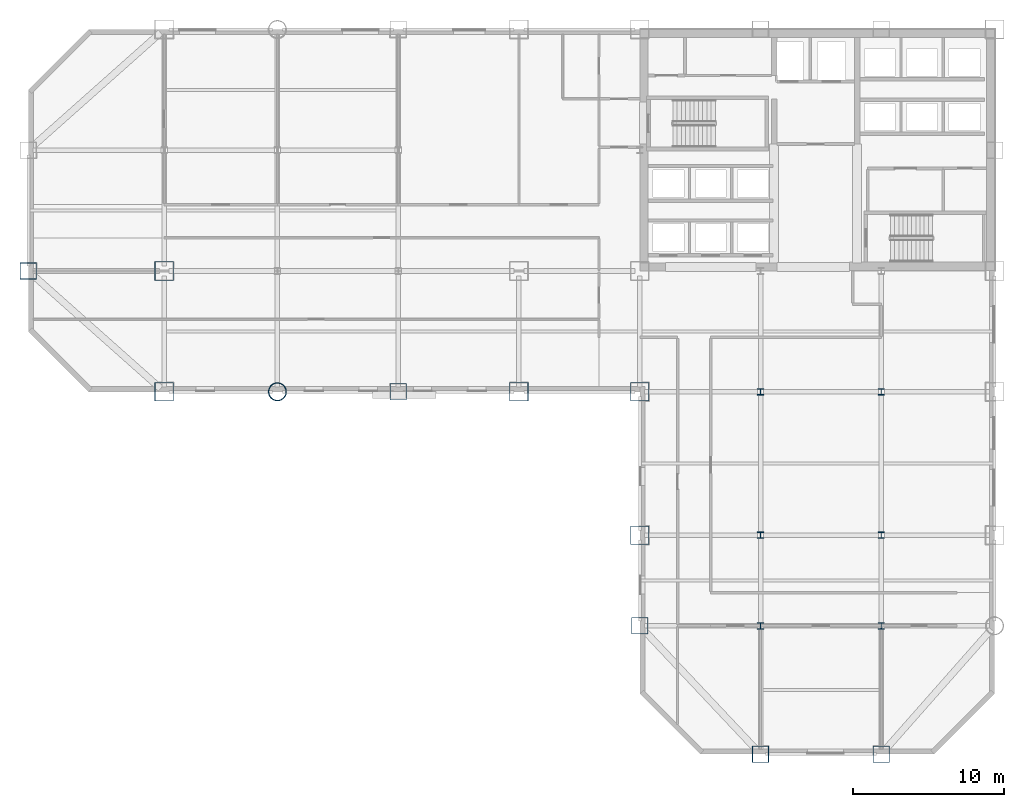
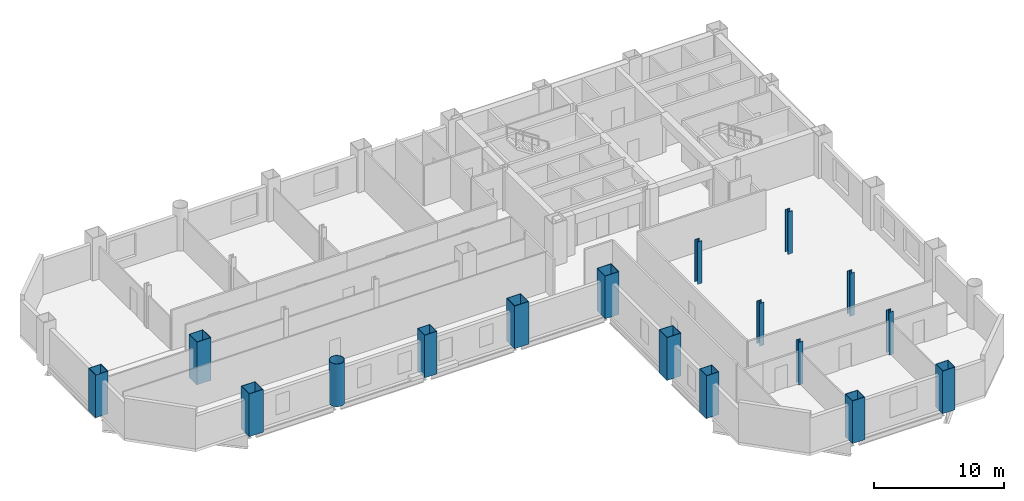
# One storey, part 1 of 9: 17 columns.
"""IFC4 building model written with IfcOpenShell, lengths in metres."""

import ifcopenshell
import ifcopenshell.guid

model = None  # the IFC model being written
_history = None  # IfcOwnerHistory: only IFC2X3 demands one
_inside = {}  # id of a spatial element -> (the spatial element, [elements in it])
_under = {}  # id of a project, library or spatial element -> (it, [spatial elements below it])
_declared = {}  # id of a project -> (the project, [libraries it declares])
_typed = {}  # id of a type object -> (the type object, [elements of that type])
_made_of = {}  # id of a material, layer set ... -> (it, [elements and type objects made of it])


def new_model(schema):
    """Start an empty IFC model of exactly this schema.

    Asked for "IFC4X3", IfcOpenShell would pick the latest addendum, in which some entities
    have other attributes; the version numbers below select the first issue.
    IFC2X3 requires an IfcOwnerHistory on every rooted entity: one is made here for all.
    """
    global model, _history
    if schema == "IFC4X3":
        model = ifcopenshell.file(schema_version=(4, 3, 0, 0))
    else:
        model = ifcopenshell.file(schema=schema)
    _inside.clear()
    _under.clear()
    _declared.clear()
    _typed.clear()
    _made_of.clear()
    _history = None
    if model.schema == "IFC2X3":
        org = make("IfcOrganization", Name="unknown")
        user = make(
            "IfcPersonAndOrganization",
            ThePerson=make("IfcPerson", FamilyName="unknown"),
            TheOrganization=org,
        )
        app = make(
            "IfcApplication",
            ApplicationDeveloper=org,
            Version="unknown",
            ApplicationFullName="unknown",
            ApplicationIdentifier="unknown",
        )
        _history = make(
            "IfcOwnerHistory",
            OwningUser=user,
            OwningApplication=app,
            ChangeAction="ADDED",
            CreationDate=0,
        )
    return model


def make(cls, **values):
    """One entity of the class cls with the attributes given. An attribute that is None is left unset."""
    return model.create_entity(
        cls, **{name: value for name, value in values.items() if value is not None}
    )


def rooted(cls, **values):
    """An entity with a GlobalId (a new one), such as an element, a storey or a relation."""
    return make(cls, GlobalId=ifcopenshell.guid.new(), OwnerHistory=_history, **values)


def si_unit(unit_type, name, prefix=None):
    """IfcSIUnit, for example si_unit("LENGTHUNIT", "METRE", prefix="MILLI")."""
    return make("IfcSIUnit", UnitType=unit_type, Prefix=prefix, Name=name)


def assignment(units):
    """IfcUnitAssignment: the units of a project."""
    return None if units is None else make("IfcUnitAssignment", Units=units)


def point(xyz):
    """IfcCartesianPoint."""
    return None if xyz is None else make("IfcCartesianPoint", Coordinates=xyz)


def direction(xyz):
    """IfcDirection."""
    return None if xyz is None else make("IfcDirection", DirectionRatios=xyz)


def frame(location, z_axis=None, x_axis=None):
    """IfcAxis2Placement3D, a coordinate frame: its origin and axes. An axis left out is left unset."""
    return make(
        "IfcAxis2Placement3D",
        Location=point(location),
        Axis=direction(z_axis),
        RefDirection=direction(x_axis),
    )


def frame_2d(location, x_axis=None):
    """IfcAxis2Placement2D, a coordinate frame in the plane: its origin and x axis."""
    return make(
        "IfcAxis2Placement2D", Location=point(location), RefDirection=direction(x_axis)
    )


def origin():
    """The frame at (0, 0, 0) with its axes left unset."""
    return frame((0.0, 0.0, 0.0))


def origin_2d():
    """The frame at (0, 0) in the plane with its x axis left unset."""
    return frame_2d((0.0, 0.0))


def place(relative_to, where):
    """IfcLocalPlacement: puts the frame where relative to a parent placement (None: the world)."""
    return make(
        "IfcLocalPlacement", PlacementRelTo=relative_to, RelativePlacement=where
    )


def context(
    kind, dimensions, precision=None, world=None, true_north=None, identifier=None
):
    """IfcGeometricRepresentationContext, for example the 3D "Model" context."""
    return make(
        "IfcGeometricRepresentationContext",
        ContextIdentifier=identifier,
        ContextType=kind,
        CoordinateSpaceDimension=dimensions,
        Precision=precision,
        WorldCoordinateSystem=world,
        TrueNorth=true_north,
    )


def subcontext(parent, identifier, kind, view, scale=None):
    """IfcGeometricRepresentationSubContext, for example "Body" below "Model"."""
    return make(
        "IfcGeometricRepresentationSubContext",
        ContextIdentifier=identifier,
        ContextType=kind,
        ParentContext=parent,
        TargetScale=scale,
        TargetView=view,
    )


def project(units=None, contexts=None):
    """IfcProject with its units and contexts."""
    return rooted(
        "IfcProject",
        Name="project",
        RepresentationContexts=contexts,
        UnitsInContext=assignment(units),
    )


def spatial(cls, under=None, at=None, **own):
    """A site, building, storey or space (cls), placed at a placement, below another one or the project."""
    s = rooted(cls, ObjectPlacement=at, **own)
    if under is not None:
        _under.setdefault(under.id(), (under, []))[1].append(s)
    return s


def profile(cls, at=None, kind="AREA", **sizes):
    """A parametric profile (cls). Its sizes go by their IFC names, for example OverallWidth=200.0."""
    return make(cls, ProfileType=kind, Position=at, **sizes)


def hollow_rectangle(**sizes):
    """IfcRectangleHollowProfileDef."""
    return profile("IfcRectangleHollowProfileDef", **sizes)


def hollow_circle(**sizes):
    """IfcCircleHollowProfileDef."""
    return profile("IfcCircleHollowProfileDef", **sizes)


def i_section(**sizes):
    """IfcIShapeProfileDef."""
    return profile("IfcIShapeProfileDef", **sizes)


def extrude(swept, where, along, depth):
    """IfcExtrudedAreaSolid: the profile swept, set in the frame where, extruded along a direction by depth."""
    return make(
        "IfcExtrudedAreaSolid",
        SweptArea=swept,
        Position=where,
        ExtrudedDirection=direction(along),
        Depth=depth,
    )


def shape(context_of_items, identifier, shape_type, items):
    """IfcShapeRepresentation: the items that make up one representation, for example the "Body"."""
    return make(
        "IfcShapeRepresentation",
        ContextOfItems=context_of_items,
        RepresentationIdentifier=identifier,
        RepresentationType=shape_type,
        Items=items,
    )


def material(Name=None, Category=None):
    """IfcMaterial."""
    return make("IfcMaterial", Name=Name, Category=Category)


def material_profile(
    of_material, cross_section, Name=None, Category=None, Priority=None
):
    """IfcMaterialProfile: a cross section and its material."""
    return make(
        "IfcMaterialProfile",
        Name=Name,
        Material=of_material,
        Profile=cross_section,
        Priority=Priority,
        Category=Category,
    )


def profile_set(profiles, Name=None, composite=None):
    """IfcMaterialProfileSet."""
    return make(
        "IfcMaterialProfileSet",
        Name=Name,
        MaterialProfiles=profiles,
        CompositeProfile=composite,
    )


def made_of(thing, what):
    """Note that an element or type object is made of a material, layer set ...; save() writes the relation."""
    if what is not None:
        _made_of.setdefault(what.id(), (what, []))[1].append(thing)
    return thing


def type_object(cls, material=None, **own):
    """A type object (cls), such as IfcWallType, which elements share."""
    return made_of(rooted(cls, **own), material)


def element(
    cls,
    number,
    at=None,
    inside=None,
    cuts=None,
    type_object=None,
    material=None,
    context=None,
    identifier="Body",
    shape_type=None,
    held_by="IfcProductDefinitionShape",
    body=None,
    shapes=None,
    **own,
):
    """One element of the class cls, such as IfcWall. Its Tag is "e" and its number.

    at: its placement. inside: the storey or other place that contains it. cuts: it is an
    opening in that element (IfcRelVoidsElement). A single representation is given by context,
    identifier, shape_type and body (its items); several are given by shapes. held_by: the class
    of the entity that holds the representations. save() writes the other relations.
    """
    e = rooted(cls, Tag="e%d" % number, ObjectPlacement=at, **own)
    if body is not None:
        shapes = [shape(context, identifier, shape_type, body)]
    if shapes is not None:
        e.Representation = make(held_by, Representations=shapes)
    if inside is not None:
        _inside.setdefault(inside.id(), (inside, []))[1].append(e)
    if cuts is not None:
        rooted(
            "IfcRelVoidsElement", RelatingBuildingElement=cuts, RelatedOpeningElement=e
        )
    if type_object is not None:
        _typed.setdefault(type_object.id(), (type_object, []))[1].append(e)
    return made_of(e, material)


def aggregate(whole, parts):
    """IfcRelAggregates: a whole, such as a stair, and the parts it consists of."""
    return rooted("IfcRelAggregates", RelatingObject=whole, RelatedObjects=parts)


def save(model, path):
    """Write the relations noted so far, then the file.

    IfcRelAggregates (storeys below a building ...), IfcRelContainedInSpatialStructure (elements
    in a storey), IfcRelDefinesByType, IfcRelAssociatesMaterial and IfcRelDeclares: one each for
    every whole, place, type object, material and project.
    """
    for whole, parts in _under.values():
        aggregate(whole, parts)
    for where, things in _inside.values():
        rooted(
            "IfcRelContainedInSpatialStructure",
            RelatedElements=things,
            RelatingStructure=where,
        )
    for kind, things in _typed.values():
        rooted("IfcRelDefinesByType", RelatedObjects=things, RelatingType=kind)
    for what, things in _made_of.values():
        rooted("IfcRelAssociatesMaterial", RelatedObjects=things, RelatingMaterial=what)
    for by, libraries in _declared.values():
        rooted("IfcRelDeclares", RelatingContext=by, RelatedDefinitions=libraries)
    model.write(path)


model = new_model("IFC4")

# Units and contexts
model_context = context("Model", 3, precision=1e-05, world=origin(), true_north=direction((0.0, 1.0)))
body_context = subcontext(model_context, "Body", "Model", "MODEL_VIEW")
ifc_project = project(units=[si_unit("LENGTHUNIT", "METRE"), si_unit("AREAUNIT", "SQUARE_METRE"), si_unit("VOLUMEUNIT", "CUBIC_METRE"), si_unit("PLANEANGLEUNIT", "RADIAN"), si_unit("MASSUNIT", "GRAM", prefix="KILO")], contexts=[model_context])

# Site, building, storey
site_placement = place(None, origin())
site = spatial("IfcSite", under=ifc_project, at=site_placement, CompositionType="ELEMENT")
building_placement = place(site_placement, origin())
building = spatial("IfcBuilding", under=site, at=building_placement, Name="Qianrong Seaharbour Tower", CompositionType="ELEMENT")
storey_placement = place(building_placement, frame((0.0, 0.0, 48.199951171875)))
storey = spatial("IfcBuildingStorey", under=building, at=storey_placement, Name="L11", CompositionType="ELEMENT", Elevation=48.199951171875)

# Columns
ifc_material = material(Name="Structural steel SN490B", Category="steel")
ifc_material_profile_1 = material_profile(ifc_material, hollow_rectangle(XDim=1.25, YDim=1.25, WallThickness=0.044921875, at=origin_2d()), Name="BOX1250x1250x45")
ifc_profile_set_1 = profile_set([ifc_material_profile_1], Name="Structural steel SN490B")
column_type_1 = type_object("IfcColumnType", Name="COL-CFT-1250", PredefinedType="COLUMN", material=ifc_profile_set_1)
for number, where, z_axis, x_axis, name in (
    (1, (9.0, 28.0, 0.0), (0.0, 0.0, 1.0), (1.0, 0.0, 0.0), "L11 Column MC-2 at G2/GE"),
    (2, (9.0, 36.0, 0.0), (0.0, 0.0, 1.0), (1.0, 0.0, 0.0), "L11 Column MC-2 at G2/GF"),
    (3, (32.5, 28.0, 0.0), (0.0, 0.0, 1.0), (1.0, 0.0, 0.0), "L11 Column MC-2 at G5/GE"),
    (4, (40.5, 18.5, 0.0), (0.0, 0.0, 1.0), (1.0, 0.0, 0.0), "L11 Column MC-2 at G6/GD"),
    (5, (40.5, 28.0, 0.0), (0.0, 0.0, 1.0), (1.0, 0.0, 0.0), "L11 Column MC-2 at G6/GE"),
):
    element("IfcColumn", number, at=place(storey_placement, frame(where, z_axis=z_axis, x_axis=x_axis)), inside=storey, type_object=column_type_1, Name=name, PredefinedType="COLUMN", context=body_context, shape_type="SweptSolid", body=[
        extrude(hollow_rectangle(XDim=1.25, YDim=1.25, WallThickness=0.044921875, at=origin_2d()), origin(), (0.0, 0.0, 1.0), 4.0),
    ])
ifc_material_profile_2 = material_profile(ifc_material, hollow_circle(Radius=0.60009765625, WallThickness=0.0400390625, at=origin_2d()), Name="CHS1200x40")
ifc_profile_set_2 = profile_set([ifc_material_profile_2], Name="Structural steel SN490B")
column_type_2 = type_object("IfcColumnType", Name="COL-CHS-1200", PredefinedType="COLUMN", material=ifc_profile_set_2)
column_placement = place(storey_placement, frame((16.5, 28.0, 0.0), z_axis=(0.0, 0.0, 1.0), x_axis=(1.0, 0.0, 0.0)))
element("IfcColumn", 6, at=column_placement, inside=storey, type_object=column_type_2, Name="L11 Column CC-1 at G3/GE", PredefinedType="COLUMN", context=body_context, shape_type="SweptSolid", body=[
    extrude(hollow_circle(Radius=0.60009765625, WallThickness=0.0400390625, at=origin_2d()), origin(), (0.0, 0.0, 1.0), 4.0),
])
ifc_material_profile_3 = material_profile(ifc_material, i_section(OverallWidth=0.406982421875, OverallDepth=0.427978515625, WebThickness=0.02001953125, FlangeThickness=0.034912109375, FilletRadius=0.02197265625, at=origin_2d()), Name="H428x407x20x35")
ifc_profile_set_3 = profile_set([ifc_material_profile_3], Name="Structural steel SN490B")
column_type_3 = type_object("IfcColumnType", Name="COL-INT-H428", PredefinedType="COLUMN", material=ifc_profile_set_3)
for number, where, z_axis, x_axis, name in (
    (7, (48.5, 12.5, 0.0), (0.0, 0.0, 1.0), (1.0, 0.0, 0.0), "L11 Column IC-2 at G7/GC"),
    (8, (48.5, 18.5, 0.0), (0.0, 0.0, 1.0), (1.0, 0.0, 0.0), "L11 Column IC-2 at G7/GD"),
    (9, (48.5, 28.0, 0.0), (0.0, 0.0, 1.0), (1.0, 0.0, 0.0), "L11 Column IC-2 at G7/GE"),
    (10, (56.5, 12.5, 0.0), (0.0, 0.0, 1.0), (1.0, 0.0, 0.0), "L11 Column IC-2 at G8/GC"),
    (11, (56.5, 18.5, 0.0), (0.0, 0.0, 1.0), (1.0, 0.0, 0.0), "L11 Column IC-2 at G8/GD"),
    (12, (56.5, 28.0, 0.0), (0.0, 0.0, 1.0), (1.0, 0.0, 0.0), "L11 Column IC-2 at G8/GE"),
):
    element("IfcColumn", number, at=place(storey_placement, frame(where, z_axis=z_axis, x_axis=x_axis)), inside=storey, type_object=column_type_3, Name=name, PredefinedType="COLUMN", context=body_context, shape_type="SweptSolid", body=[
        extrude(i_section(OverallWidth=0.406982421875, OverallDepth=0.427978515625, WebThickness=0.02001953125, FlangeThickness=0.034912109375, FilletRadius=0.02197265625, at=origin_2d()), origin(), (0.0, 0.0, 1.0), 4.0),
    ])
ifc_material_profile_4 = material_profile(ifc_material, hollow_rectangle(XDim=1.10009765625, YDim=1.10009765625, WallThickness=0.0400390625, at=origin_2d()), Name="BOX1100x1100x40")
ifc_profile_set_4 = profile_set([ifc_material_profile_4], Name="Structural steel SN490B")
column_type_4 = type_object("IfcColumnType", Name="COL-PER-1100", PredefinedType="COLUMN", material=ifc_profile_set_4)
for number, where, z_axis, x_axis, name in (
    (13, (0.0, 36.0, 0.0), (0.0, 0.0, 1.0), (1.0, 0.0, 0.0), "L11 Column PC-1 at G1/GF"),
    (14, (24.5, 28.0, 0.0), (0.0, 0.0, 1.0), (1.0, 0.0, 0.0), "L11 Column PC-1 at G4/GE"),
    (15, (40.5, 12.5, 0.0), (0.0, 0.0, 1.0), (1.0, 0.0, 0.0), "L11 Column PC-1 at G6/GC"),
    (16, (48.5, 4.0, 0.0), (0.0, 0.0, 1.0), (1.0, 0.0, 0.0), "L11 Column PC-1 at G7/GB"),
    (17, (56.5, 4.0, 0.0), (0.0, 0.0, 1.0), (1.0, 0.0, 0.0), "L11 Column PC-1 at G8/GB"),
):
    element("IfcColumn", number, at=place(storey_placement, frame(where, z_axis=z_axis, x_axis=x_axis)), inside=storey, type_object=column_type_4, Name=name, PredefinedType="COLUMN", context=body_context, shape_type="SweptSolid", body=[
        extrude(hollow_rectangle(XDim=1.10009765625, YDim=1.10009765625, WallThickness=0.0400390625, at=origin_2d()), origin(), (0.0, 0.0, 1.0), 4.0),
    ])

save(model, "model.ifc")
